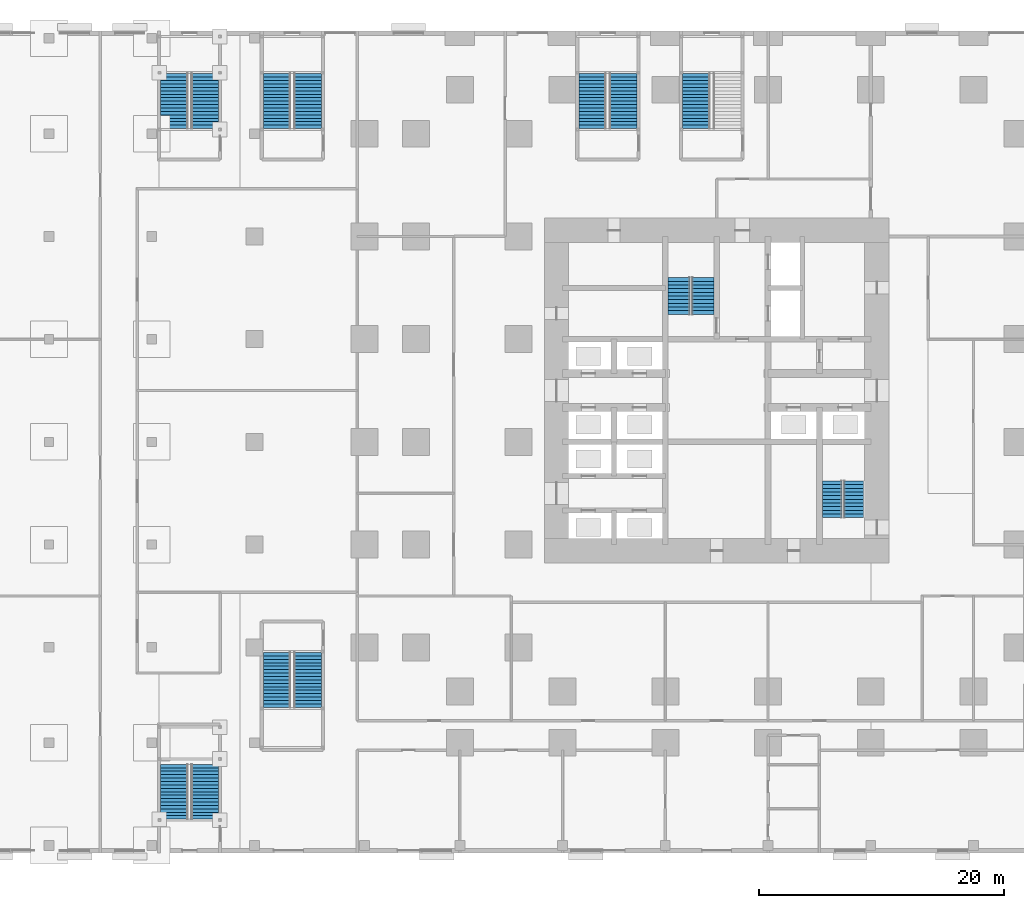
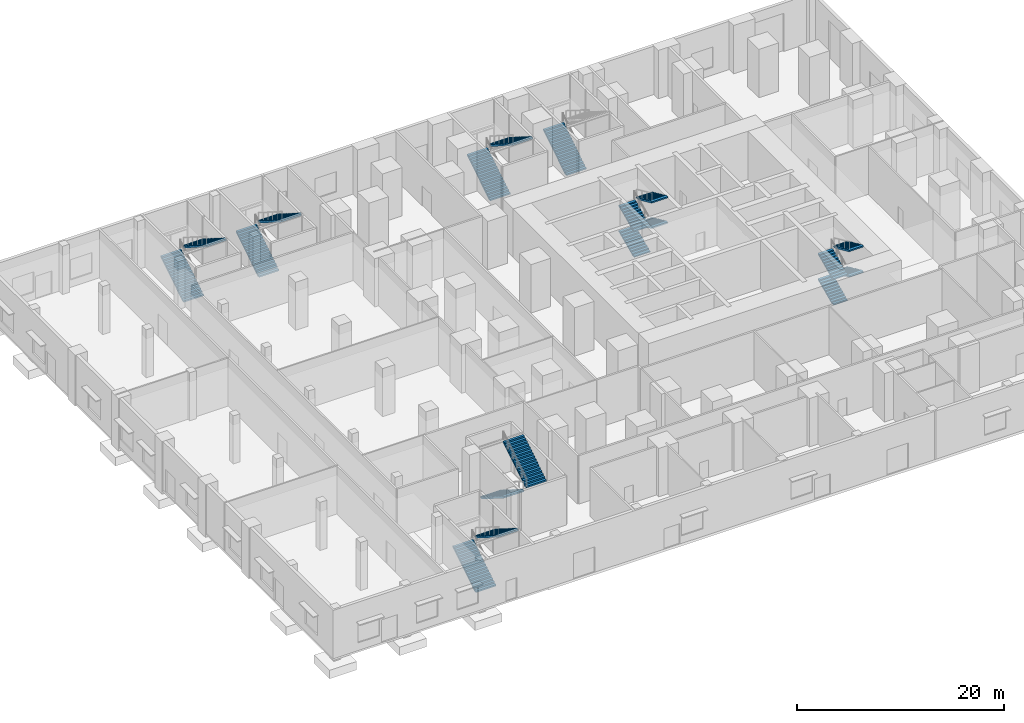
# One storey, part 22 of 26: 19 stair flights, 8 elements without a shape of their own.
"""IFC4 building model written with IfcOpenShell, lengths in metres."""

from ifc_helpers import new_model, si_unit, direction, frame, origin, place, context, subcontext, project, spatial, polyline, outline, extrude, material, type_object, element, aggregate, save


model = new_model("IFC4")

# Units and contexts
model_context = context("Model", 3, precision=1e-05, world=origin(), true_north=direction((0.0, 1.0)))
body_context = subcontext(model_context, "Body", "Model", "MODEL_VIEW")
ifc_project = project(units=[si_unit("LENGTHUNIT", "METRE"), si_unit("AREAUNIT", "SQUARE_METRE"), si_unit("VOLUMEUNIT", "CUBIC_METRE"), si_unit("PLANEANGLEUNIT", "RADIAN"), si_unit("MASSUNIT", "GRAM", prefix="KILO")], contexts=[model_context])

# Site, building, storey
site_placement = place(None, origin())
site = spatial("IfcSite", under=ifc_project, at=site_placement, CompositionType="ELEMENT")
building_placement = place(site_placement, origin())
building = spatial("IfcBuilding", under=site, at=building_placement, Name="Dunama Terrace Hotel", CompositionType="ELEMENT")
storey_placement = place(building_placement, origin())
storey = spatial("IfcBuildingStorey", under=building, at=storey_placement, Name="L00", CompositionType="ELEMENT", Elevation=0.0)

# Stair, stair flights
ifc_material_1 = material(Name="Concrete C40/50", Category="concrete")
stair_type_1 = type_object("IfcStairType", Name="Stair P1-6000-2250", PredefinedType="HALF_TURN_STAIR", material=ifc_material_1)
stair_1_placement = place(storey_placement, origin())
stair_1 = element("IfcStair", 1, at=stair_1_placement, inside=storey, type_object=stair_type_1, Name="Stair P1 L00", PredefinedType="HALF_TURN_STAIR")
ifc_material_2 = material(Name="Concrete C40/50", Category="concrete")
stair_flight_type_1 = type_object("IfcStairFlightType", Name="Stair flight P1-6000-2250", PredefinedType="STRAIGHT", material=ifc_material_2)
stair_flight_1_placement = place(storey_placement, frame((-14.949951171875, 50.824951171875, 0.0), z_axis=(0.0, 0.0, 1.0), x_axis=(0.0, 1.0, 0.0)))
stair_flight_1 = element("IfcStairFlight", 2, at=stair_flight_1_placement, type_object=stair_flight_type_1, Name="P1 flight 1", NumberOfRisers=17, NumberOfTreads=16, PredefinedType="STRAIGHT", RiserHeight=0.176470588, TreadLength=0.28, context=body_context, shape_type="SweptSolid", body=[
    extrude(outline(polyline([(0.0, 0.0), (0.0, 0.176513671875), (0.280029296875, 0.176513671875), (0.280029296875, 0.35302734375), (0.56005859375, 0.35302734375), (0.56005859375, 0.529296875), (0.840087890625, 0.529296875), (0.840087890625, 0.705810546875), (1.1201171875, 0.705810546875), (1.1201171875, 0.88232421875), (1.39990234375, 0.88232421875), (1.39990234375, 1.058837890625), (1.679931640625, 1.058837890625), (1.679931640625, 1.2353515625), (1.9599609375, 1.2353515625), (1.9599609375, 1.411865234375), (2.239990234375, 1.411865234375), (2.239990234375, 1.588134765625), (2.52001953125, 1.588134765625), (2.52001953125, 1.7646484375), (2.800048828125, 1.7646484375), (2.800048828125, 1.941162109375), (3.080078125, 1.941162109375), (3.080078125, 2.11767578125), (3.360107421875, 2.11767578125), (3.360107421875, 2.294189453125), (3.639892578125, 2.294189453125), (3.639892578125, 2.470703125), (3.919921875, 2.470703125), (3.919921875, 2.64697265625), (4.199951171875, 2.64697265625), (4.199951171875, 2.823486328125), (4.47998046875, 2.823486328125), (4.47998046875, 3.0), (4.47998046875, 2.646240234375), (0.28125, 0.0), (0.0, 0.0)])), frame((0.0, 1.125, 0.0), z_axis=(0.0, -1.0, 0.0), x_axis=(1.0, 0.0, 0.0)), (0.0, 0.0, 1.0), 2.25),
])
stair_flight_2_placement = place(storey_placement, frame((-12.449951171875, 55.304931640625, 3.0), z_axis=(0.0, 0.0, 1.0), x_axis=(0.0, -1.0, 0.0)))
stair_flight_2 = element("IfcStairFlight", 3, at=stair_flight_2_placement, type_object=stair_flight_type_1, Name="P1 flight 2", NumberOfRisers=17, NumberOfTreads=16, PredefinedType="STRAIGHT", RiserHeight=0.176470588, TreadLength=0.28, context=body_context, shape_type="SweptSolid", body=[
    extrude(outline(polyline([(0.0, 0.0), (0.0, 0.176513671875), (0.280029296875, 0.176513671875), (0.280029296875, 0.35302734375), (0.56005859375, 0.35302734375), (0.56005859375, 0.529296875), (0.840087890625, 0.529296875), (0.840087890625, 0.705810546875), (1.1201171875, 0.705810546875), (1.1201171875, 0.88232421875), (1.39990234375, 0.88232421875), (1.39990234375, 1.058837890625), (1.679931640625, 1.058837890625), (1.679931640625, 1.2353515625), (1.9599609375, 1.2353515625), (1.9599609375, 1.411865234375), (2.239990234375, 1.411865234375), (2.239990234375, 1.588134765625), (2.52001953125, 1.588134765625), (2.52001953125, 1.7646484375), (2.800048828125, 1.7646484375), (2.800048828125, 1.941162109375), (3.080078125, 1.941162109375), (3.080078125, 2.11767578125), (3.360107421875, 2.11767578125), (3.360107421875, 2.294189453125), (3.639892578125, 2.294189453125), (3.639892578125, 2.470703125), (3.919921875, 2.470703125), (3.919921875, 2.64697265625), (4.199951171875, 2.64697265625), (4.199951171875, 2.823486328125), (4.47998046875, 2.823486328125), (4.47998046875, 3.0), (4.47998046875, 2.646240234375), (0.28125, 0.0), (0.0, 0.0)])), frame((0.0, 1.125, 0.0), z_axis=(0.0, -1.0, 0.0), x_axis=(1.0, 0.0, 0.0)), (0.0, 0.0, 1.0), 2.25),
])
aggregate(stair_1, [stair_flight_1, stair_flight_2])

ifc_material_3 = material(Name="Concrete C40/50", Category="concrete")
stair_type_2 = type_object("IfcStairType", Name="Stair P2-6000-2250", PredefinedType="HALF_TURN_STAIR", material=ifc_material_3)
stair_2_placement = place(storey_placement, origin())
stair_2 = element("IfcStair", 4, at=stair_2_placement, inside=storey, type_object=stair_type_2, Name="Stair P2 L00", PredefinedType="HALF_TURN_STAIR")
ifc_material_4 = material(Name="Concrete C40/50", Category="concrete")
stair_flight_type_2 = type_object("IfcStairFlightType", Name="Stair flight P2-6000-2250", PredefinedType="STRAIGHT", material=ifc_material_4)
stair_flight_3_placement = place(storey_placement, frame((-14.949951171875, -5.64990234375, 0.0), z_axis=(0.0, 0.0, 1.0), x_axis=(0.0, 1.0, 0.0)))
stair_flight_3 = element("IfcStairFlight", 5, at=stair_flight_3_placement, type_object=stair_flight_type_2, Name="P2 flight 1", NumberOfRisers=17, NumberOfTreads=16, PredefinedType="STRAIGHT", RiserHeight=0.176470588, TreadLength=0.28, context=body_context, shape_type="SweptSolid", body=[
    extrude(outline(polyline([(0.0, 0.0), (0.0, 0.176513671875), (0.280029296875, 0.176513671875), (0.280029296875, 0.35302734375), (0.56005859375, 0.35302734375), (0.56005859375, 0.529296875), (0.840087890625, 0.529296875), (0.840087890625, 0.705810546875), (1.1201171875, 0.705810546875), (1.1201171875, 0.88232421875), (1.39990234375, 0.88232421875), (1.39990234375, 1.058837890625), (1.679931640625, 1.058837890625), (1.679931640625, 1.2353515625), (1.9599609375, 1.2353515625), (1.9599609375, 1.411865234375), (2.239990234375, 1.411865234375), (2.239990234375, 1.588134765625), (2.52001953125, 1.588134765625), (2.52001953125, 1.7646484375), (2.800048828125, 1.7646484375), (2.800048828125, 1.941162109375), (3.080078125, 1.941162109375), (3.080078125, 2.11767578125), (3.360107421875, 2.11767578125), (3.360107421875, 2.294189453125), (3.639892578125, 2.294189453125), (3.639892578125, 2.470703125), (3.919921875, 2.470703125), (3.919921875, 2.64697265625), (4.199951171875, 2.64697265625), (4.199951171875, 2.823486328125), (4.47998046875, 2.823486328125), (4.47998046875, 3.0), (4.47998046875, 2.646240234375), (0.28125, 0.0), (0.0, 0.0)])), frame((0.0, 1.125, 0.0), z_axis=(0.0, -1.0, 0.0), x_axis=(1.0, 0.0, 0.0)), (0.0, 0.0, 1.0), 2.25),
])
stair_flight_4_placement = place(storey_placement, frame((-12.449951171875, -1.169921875, 3.0), z_axis=(0.0, 0.0, 1.0), x_axis=(0.0, -1.0, 0.0)))
stair_flight_4 = element("IfcStairFlight", 6, at=stair_flight_4_placement, type_object=stair_flight_type_2, Name="P2 flight 2", NumberOfRisers=17, NumberOfTreads=16, PredefinedType="STRAIGHT", RiserHeight=0.176470588, TreadLength=0.28, context=body_context, shape_type="SweptSolid", body=[
    extrude(outline(polyline([(0.0, 0.0), (0.0, 0.176513671875), (0.280029296875, 0.176513671875), (0.280029296875, 0.35302734375), (0.56005859375, 0.35302734375), (0.56005859375, 0.529296875), (0.840087890625, 0.529296875), (0.840087890625, 0.705810546875), (1.1201171875, 0.705810546875), (1.1201171875, 0.88232421875), (1.39990234375, 0.88232421875), (1.39990234375, 1.058837890625), (1.679931640625, 1.058837890625), (1.679931640625, 1.2353515625), (1.9599609375, 1.2353515625), (1.9599609375, 1.411865234375), (2.239990234375, 1.411865234375), (2.239990234375, 1.588134765625), (2.52001953125, 1.588134765625), (2.52001953125, 1.7646484375), (2.800048828125, 1.7646484375), (2.800048828125, 1.941162109375), (3.080078125, 1.941162109375), (3.080078125, 2.11767578125), (3.360107421875, 2.11767578125), (3.360107421875, 2.294189453125), (3.639892578125, 2.294189453125), (3.639892578125, 2.470703125), (3.919921875, 2.470703125), (3.919921875, 2.64697265625), (4.199951171875, 2.64697265625), (4.199951171875, 2.823486328125), (4.47998046875, 2.823486328125), (4.47998046875, 3.0), (4.47998046875, 2.646240234375), (0.28125, 0.0), (0.0, 0.0)])), frame((0.0, 1.125, 0.0), z_axis=(0.0, -1.0, 0.0), x_axis=(1.0, 0.0, 0.0)), (0.0, 0.0, 1.0), 2.25),
])
aggregate(stair_2, [stair_flight_3, stair_flight_4])

ifc_material_5 = material(Name="Concrete C40/50", Category="concrete")
stair_type_3 = type_object("IfcStairType", Name="Stair P3-6000-2250", PredefinedType="HALF_TURN_STAIR", material=ifc_material_5)
stair_3_placement = place(storey_placement, origin())
stair_3 = element("IfcStair", 7, at=stair_3_placement, inside=storey, type_object=stair_type_3, Name="Stair P3 L00", PredefinedType="HALF_TURN_STAIR")
ifc_material_6 = material(Name="Concrete C40/50", Category="concrete")
stair_flight_type_3 = type_object("IfcStairFlightType", Name="Stair flight P3-6000-2250", PredefinedType="STRAIGHT", material=ifc_material_6)
stair_flight_5_placement = place(storey_placement, frame((-6.550048828125, 50.824951171875, 0.0), z_axis=(0.0, 0.0, 1.0), x_axis=(0.0, 1.0, 0.0)))
stair_flight_5 = element("IfcStairFlight", 8, at=stair_flight_5_placement, type_object=stair_flight_type_3, Name="P3 flight 1", NumberOfRisers=17, NumberOfTreads=16, PredefinedType="STRAIGHT", RiserHeight=0.176470588, TreadLength=0.28, context=body_context, shape_type="SweptSolid", body=[
    extrude(outline(polyline([(0.0, 0.0), (0.0, 0.176513671875), (0.280029296875, 0.176513671875), (0.280029296875, 0.35302734375), (0.56005859375, 0.35302734375), (0.56005859375, 0.529296875), (0.840087890625, 0.529296875), (0.840087890625, 0.705810546875), (1.1201171875, 0.705810546875), (1.1201171875, 0.88232421875), (1.39990234375, 0.88232421875), (1.39990234375, 1.058837890625), (1.679931640625, 1.058837890625), (1.679931640625, 1.2353515625), (1.9599609375, 1.2353515625), (1.9599609375, 1.411865234375), (2.239990234375, 1.411865234375), (2.239990234375, 1.588134765625), (2.52001953125, 1.588134765625), (2.52001953125, 1.7646484375), (2.800048828125, 1.7646484375), (2.800048828125, 1.941162109375), (3.080078125, 1.941162109375), (3.080078125, 2.11767578125), (3.360107421875, 2.11767578125), (3.360107421875, 2.294189453125), (3.639892578125, 2.294189453125), (3.639892578125, 2.470703125), (3.919921875, 2.470703125), (3.919921875, 2.64697265625), (4.199951171875, 2.64697265625), (4.199951171875, 2.823486328125), (4.47998046875, 2.823486328125), (4.47998046875, 3.0), (4.47998046875, 2.646240234375), (0.28125, 0.0), (0.0, 0.0)])), frame((0.0, 1.125, 0.0), z_axis=(0.0, -1.0, 0.0), x_axis=(1.0, 0.0, 0.0)), (0.0, 0.0, 1.0), 2.25),
])
stair_flight_6_placement = place(storey_placement, frame((-4.050048828125, 55.304931640625, 3.0), z_axis=(0.0, 0.0, 1.0), x_axis=(0.0, -1.0, 0.0)))
stair_flight_6 = element("IfcStairFlight", 9, at=stair_flight_6_placement, type_object=stair_flight_type_3, Name="P3 flight 2", NumberOfRisers=17, NumberOfTreads=16, PredefinedType="STRAIGHT", RiserHeight=0.176470588, TreadLength=0.28, context=body_context, shape_type="SweptSolid", body=[
    extrude(outline(polyline([(0.0, 0.0), (0.0, 0.176513671875), (0.280029296875, 0.176513671875), (0.280029296875, 0.35302734375), (0.56005859375, 0.35302734375), (0.56005859375, 0.529296875), (0.840087890625, 0.529296875), (0.840087890625, 0.705810546875), (1.1201171875, 0.705810546875), (1.1201171875, 0.88232421875), (1.39990234375, 0.88232421875), (1.39990234375, 1.058837890625), (1.679931640625, 1.058837890625), (1.679931640625, 1.2353515625), (1.9599609375, 1.2353515625), (1.9599609375, 1.411865234375), (2.239990234375, 1.411865234375), (2.239990234375, 1.588134765625), (2.52001953125, 1.588134765625), (2.52001953125, 1.7646484375), (2.800048828125, 1.7646484375), (2.800048828125, 1.941162109375), (3.080078125, 1.941162109375), (3.080078125, 2.11767578125), (3.360107421875, 2.11767578125), (3.360107421875, 2.294189453125), (3.639892578125, 2.294189453125), (3.639892578125, 2.470703125), (3.919921875, 2.470703125), (3.919921875, 2.64697265625), (4.199951171875, 2.64697265625), (4.199951171875, 2.823486328125), (4.47998046875, 2.823486328125), (4.47998046875, 3.0), (4.47998046875, 2.646240234375), (0.28125, 0.0), (0.0, 0.0)])), frame((0.0, 1.125, 0.0), z_axis=(0.0, -1.0, 0.0), x_axis=(1.0, 0.0, 0.0)), (0.0, 0.0, 1.0), 2.25),
])
aggregate(stair_3, [stair_flight_5, stair_flight_6])

ifc_material_7 = material(Name="Concrete C40/50", Category="concrete")
stair_type_4 = type_object("IfcStairType", Name="Stair P4-6000-2250", PredefinedType="HALF_TURN_STAIR", material=ifc_material_7)
stair_4_placement = place(storey_placement, origin())
stair_4 = element("IfcStair", 10, at=stair_4_placement, inside=storey, type_object=stair_type_4, Name="Stair P4 L00", PredefinedType="HALF_TURN_STAIR")
ifc_material_8 = material(Name="Concrete C40/50", Category="concrete")
stair_flight_type_4 = type_object("IfcStairFlightType", Name="Stair flight P4-6000-2250", PredefinedType="STRAIGHT", material=ifc_material_8)
stair_flight_7_placement = place(storey_placement, frame((-6.550048828125, 7.97509765625, 0.0), z_axis=(0.0, 0.0, 1.0), x_axis=(0.0, -1.0, 0.0)))
stair_flight_7 = element("IfcStairFlight", 11, at=stair_flight_7_placement, type_object=stair_flight_type_4, Name="P4 flight 1", NumberOfRisers=17, NumberOfTreads=16, PredefinedType="STRAIGHT", RiserHeight=0.176470588, TreadLength=0.28, context=body_context, shape_type="SweptSolid", body=[
    extrude(outline(polyline([(0.0, 0.0), (0.0, 0.176513671875), (0.280029296875, 0.176513671875), (0.280029296875, 0.35302734375), (0.56005859375, 0.35302734375), (0.56005859375, 0.529296875), (0.840087890625, 0.529296875), (0.840087890625, 0.705810546875), (1.1201171875, 0.705810546875), (1.1201171875, 0.88232421875), (1.39990234375, 0.88232421875), (1.39990234375, 1.058837890625), (1.679931640625, 1.058837890625), (1.679931640625, 1.2353515625), (1.9599609375, 1.2353515625), (1.9599609375, 1.411865234375), (2.239990234375, 1.411865234375), (2.239990234375, 1.588134765625), (2.52001953125, 1.588134765625), (2.52001953125, 1.7646484375), (2.800048828125, 1.7646484375), (2.800048828125, 1.941162109375), (3.080078125, 1.941162109375), (3.080078125, 2.11767578125), (3.360107421875, 2.11767578125), (3.360107421875, 2.294189453125), (3.639892578125, 2.294189453125), (3.639892578125, 2.470703125), (3.919921875, 2.470703125), (3.919921875, 2.64697265625), (4.199951171875, 2.64697265625), (4.199951171875, 2.823486328125), (4.47998046875, 2.823486328125), (4.47998046875, 3.0), (4.47998046875, 2.646240234375), (0.28125, 0.0), (0.0, 0.0)])), frame((0.0, 1.125, 0.0), z_axis=(0.0, -1.0, 0.0), x_axis=(1.0, 0.0, 0.0)), (0.0, 0.0, 1.0), 2.25),
])
stair_flight_8_placement = place(storey_placement, frame((-4.050048828125, 3.4951171875, 3.0), z_axis=(0.0, 0.0, 1.0), x_axis=(0.0, 1.0, 0.0)))
stair_flight_8 = element("IfcStairFlight", 12, at=stair_flight_8_placement, type_object=stair_flight_type_4, Name="P4 flight 2", NumberOfRisers=17, NumberOfTreads=16, PredefinedType="STRAIGHT", RiserHeight=0.176470588, TreadLength=0.28, context=body_context, shape_type="SweptSolid", body=[
    extrude(outline(polyline([(0.0, 0.0), (0.0, 0.176513671875), (0.280029296875, 0.176513671875), (0.280029296875, 0.35302734375), (0.56005859375, 0.35302734375), (0.56005859375, 0.529296875), (0.840087890625, 0.529296875), (0.840087890625, 0.705810546875), (1.1201171875, 0.705810546875), (1.1201171875, 0.88232421875), (1.39990234375, 0.88232421875), (1.39990234375, 1.058837890625), (1.679931640625, 1.058837890625), (1.679931640625, 1.2353515625), (1.9599609375, 1.2353515625), (1.9599609375, 1.411865234375), (2.239990234375, 1.411865234375), (2.239990234375, 1.588134765625), (2.52001953125, 1.588134765625), (2.52001953125, 1.7646484375), (2.800048828125, 1.7646484375), (2.800048828125, 1.941162109375), (3.080078125, 1.941162109375), (3.080078125, 2.11767578125), (3.360107421875, 2.11767578125), (3.360107421875, 2.294189453125), (3.639892578125, 2.294189453125), (3.639892578125, 2.470703125), (3.919921875, 2.470703125), (3.919921875, 2.64697265625), (4.199951171875, 2.64697265625), (4.199951171875, 2.823486328125), (4.47998046875, 2.823486328125), (4.47998046875, 3.0), (4.47998046875, 2.646240234375), (0.28125, 0.0), (0.0, 0.0)])), frame((0.0, 1.125, 0.0), z_axis=(0.0, -1.0, 0.0), x_axis=(1.0, 0.0, 0.0)), (0.0, 0.0, 1.0), 2.25),
])
aggregate(stair_4, [stair_flight_7, stair_flight_8])

ifc_material_9 = material(Name="Concrete C40/50", Category="concrete")
stair_type_5 = type_object("IfcStairType", Name="Stair P5-6000-2250", PredefinedType="HALF_TURN_STAIR", material=ifc_material_9)
stair_5_placement = place(storey_placement, origin())
stair_5 = element("IfcStair", 13, at=stair_5_placement, inside=storey, type_object=stair_type_5, Name="Stair P5 L00", PredefinedType="HALF_TURN_STAIR")
ifc_material_10 = material(Name="Concrete C40/50", Category="concrete")
stair_flight_type_5 = type_object("IfcStairFlightType", Name="Stair flight P5-6000-2250", PredefinedType="STRAIGHT", material=ifc_material_10)
stair_flight_9_placement = place(storey_placement, frame((19.25, 50.824951171875, 0.0), z_axis=(0.0, 0.0, 1.0), x_axis=(0.0, 1.0, 0.0)))
stair_flight_9 = element("IfcStairFlight", 14, at=stair_flight_9_placement, type_object=stair_flight_type_5, Name="P5 flight 1", NumberOfRisers=17, NumberOfTreads=16, PredefinedType="STRAIGHT", RiserHeight=0.176470588, TreadLength=0.28, context=body_context, shape_type="SweptSolid", body=[
    extrude(outline(polyline([(0.0, 0.0), (0.0, 0.176513671875), (0.280029296875, 0.176513671875), (0.280029296875, 0.35302734375), (0.56005859375, 0.35302734375), (0.56005859375, 0.529296875), (0.840087890625, 0.529296875), (0.840087890625, 0.705810546875), (1.1201171875, 0.705810546875), (1.1201171875, 0.88232421875), (1.39990234375, 0.88232421875), (1.39990234375, 1.058837890625), (1.679931640625, 1.058837890625), (1.679931640625, 1.2353515625), (1.9599609375, 1.2353515625), (1.9599609375, 1.411865234375), (2.239990234375, 1.411865234375), (2.239990234375, 1.588134765625), (2.52001953125, 1.588134765625), (2.52001953125, 1.7646484375), (2.800048828125, 1.7646484375), (2.800048828125, 1.941162109375), (3.080078125, 1.941162109375), (3.080078125, 2.11767578125), (3.360107421875, 2.11767578125), (3.360107421875, 2.294189453125), (3.639892578125, 2.294189453125), (3.639892578125, 2.470703125), (3.919921875, 2.470703125), (3.919921875, 2.64697265625), (4.199951171875, 2.64697265625), (4.199951171875, 2.823486328125), (4.47998046875, 2.823486328125), (4.47998046875, 3.0), (4.47998046875, 2.646240234375), (0.28125, 0.0), (0.0, 0.0)])), frame((0.0, 1.125, 0.0), z_axis=(0.0, -1.0, 0.0), x_axis=(1.0, 0.0, 0.0)), (0.0, 0.0, 1.0), 2.25),
])
stair_flight_10_placement = place(storey_placement, frame((21.75, 55.304931640625, 3.0), z_axis=(0.0, 0.0, 1.0), x_axis=(0.0, -1.0, 0.0)))
stair_flight_10 = element("IfcStairFlight", 15, at=stair_flight_10_placement, type_object=stair_flight_type_5, Name="P5 flight 2", NumberOfRisers=17, NumberOfTreads=16, PredefinedType="STRAIGHT", RiserHeight=0.176470588, TreadLength=0.28, context=body_context, shape_type="SweptSolid", body=[
    extrude(outline(polyline([(0.0, 0.0), (0.0, 0.176513671875), (0.280029296875, 0.176513671875), (0.280029296875, 0.35302734375), (0.56005859375, 0.35302734375), (0.56005859375, 0.529296875), (0.840087890625, 0.529296875), (0.840087890625, 0.705810546875), (1.1201171875, 0.705810546875), (1.1201171875, 0.88232421875), (1.39990234375, 0.88232421875), (1.39990234375, 1.058837890625), (1.679931640625, 1.058837890625), (1.679931640625, 1.2353515625), (1.9599609375, 1.2353515625), (1.9599609375, 1.411865234375), (2.239990234375, 1.411865234375), (2.239990234375, 1.588134765625), (2.52001953125, 1.588134765625), (2.52001953125, 1.7646484375), (2.800048828125, 1.7646484375), (2.800048828125, 1.941162109375), (3.080078125, 1.941162109375), (3.080078125, 2.11767578125), (3.360107421875, 2.11767578125), (3.360107421875, 2.294189453125), (3.639892578125, 2.294189453125), (3.639892578125, 2.470703125), (3.919921875, 2.470703125), (3.919921875, 2.64697265625), (4.199951171875, 2.64697265625), (4.199951171875, 2.823486328125), (4.47998046875, 2.823486328125), (4.47998046875, 3.0), (4.47998046875, 2.646240234375), (0.28125, 0.0), (0.0, 0.0)])), frame((0.0, 1.125, 0.0), z_axis=(0.0, -1.0, 0.0), x_axis=(1.0, 0.0, 0.0)), (0.0, 0.0, 1.0), 2.25),
])
aggregate(stair_5, [stair_flight_9, stair_flight_10])

# Stair, stair flight
ifc_material_11 = material(Name="Concrete C40/50", Category="concrete")
stair_type_6 = type_object("IfcStairType", Name="Stair P6-6000-2250", PredefinedType="HALF_TURN_STAIR", material=ifc_material_11)
stair_6_placement = place(storey_placement, origin())
stair_6 = element("IfcStair", 16, at=stair_6_placement, inside=storey, type_object=stair_type_6, Name="Stair P6 L00", PredefinedType="HALF_TURN_STAIR")
ifc_material_12 = material(Name="Concrete C40/50", Category="concrete")
stair_flight_type_6 = type_object("IfcStairFlightType", Name="Stair flight P6-6000-2250", PredefinedType="STRAIGHT", material=ifc_material_12)
stair_flight_11_placement = place(storey_placement, frame((27.75, 50.824951171875, 0.0), z_axis=(0.0, 0.0, 1.0), x_axis=(0.0, 1.0, 0.0)))
stair_flight_11 = element("IfcStairFlight", 17, at=stair_flight_11_placement, type_object=stair_flight_type_6, Name="P6 flight 1", NumberOfRisers=17, NumberOfTreads=16, PredefinedType="STRAIGHT", RiserHeight=0.176470588, TreadLength=0.28, context=body_context, shape_type="SweptSolid", body=[
    extrude(outline(polyline([(0.0, 0.0), (0.0, 0.176513671875), (0.280029296875, 0.176513671875), (0.280029296875, 0.35302734375), (0.56005859375, 0.35302734375), (0.56005859375, 0.529296875), (0.840087890625, 0.529296875), (0.840087890625, 0.705810546875), (1.1201171875, 0.705810546875), (1.1201171875, 0.88232421875), (1.39990234375, 0.88232421875), (1.39990234375, 1.058837890625), (1.679931640625, 1.058837890625), (1.679931640625, 1.2353515625), (1.9599609375, 1.2353515625), (1.9599609375, 1.411865234375), (2.239990234375, 1.411865234375), (2.239990234375, 1.588134765625), (2.52001953125, 1.588134765625), (2.52001953125, 1.7646484375), (2.800048828125, 1.7646484375), (2.800048828125, 1.941162109375), (3.080078125, 1.941162109375), (3.080078125, 2.11767578125), (3.360107421875, 2.11767578125), (3.360107421875, 2.294189453125), (3.639892578125, 2.294189453125), (3.639892578125, 2.470703125), (3.919921875, 2.470703125), (3.919921875, 2.64697265625), (4.199951171875, 2.64697265625), (4.199951171875, 2.823486328125), (4.47998046875, 2.823486328125), (4.47998046875, 3.0), (4.47998046875, 2.646240234375), (0.28125, 0.0), (0.0, 0.0)])), frame((0.0, 1.125, 0.0), z_axis=(0.0, -1.0, 0.0), x_axis=(1.0, 0.0, 0.0)), (0.0, 0.0, 1.0), 2.25),
])
aggregate(stair_6, [stair_flight_11])

# Stair, stair flights
ifc_material_13 = material(Name="Concrete C40/50", Category="concrete")
stair_type_7 = type_object("IfcStairType", Name="Stair ST1-6000-1800", PredefinedType="HALF_TURN_STAIR", material=ifc_material_13)
stair_7_placement = place(storey_placement, origin())
stair_7 = element("IfcStair", 18, at=stair_7_placement, inside=storey, type_object=stair_type_7, Name="Stair ST1 L00", PredefinedType="HALF_TURN_STAIR")
ifc_material_14 = material(Name="Concrete C40/50", Category="concrete")
stair_flight_type_7 = type_object("IfcStairFlightType", Name="Stair flight ST1-6000-1800", PredefinedType="STRAIGHT", material=ifc_material_14)
stair_flight_12_placement = place(storey_placement, frame((26.324951171875, 35.625, 0.0), z_axis=(0.0, 0.0, 1.0), x_axis=(0.0, 1.0, 0.0)))
stair_flight_12 = element("IfcStairFlight", 19, at=stair_flight_12_placement, type_object=stair_flight_type_7, Name="ST1 flight 1", NumberOfRisers=11, NumberOfTreads=10, PredefinedType="STRAIGHT", RiserHeight=0.136363636, TreadLength=0.3, context=body_context, shape_type="SweptSolid", body=[
    extrude(outline(polyline([(0.0, 0.0), (0.0, 0.136474609375), (0.300048828125, 0.136474609375), (0.300048828125, 0.272705078125), (0.60009765625, 0.272705078125), (0.60009765625, 0.4091796875), (0.89990234375, 0.4091796875), (0.89990234375, 0.54541015625), (1.199951171875, 0.54541015625), (1.199951171875, 0.681884765625), (1.5, 0.681884765625), (1.5, 0.818115234375), (1.800048828125, 0.818115234375), (1.800048828125, 0.95458984375), (2.10009765625, 0.95458984375), (2.10009765625, 1.0908203125), (2.39990234375, 1.0908203125), (2.39990234375, 1.227294921875), (2.699951171875, 1.227294921875), (2.699951171875, 1.363525390625), (3.0, 1.363525390625), (3.0, 1.5), (3.0, 1.198974609375), (0.3623046875, 0.0), (0.0, 0.0)])), frame((0.0, 0.89990234375, 0.0), z_axis=(0.0, -1.0, 0.0), x_axis=(1.0, 0.0, 0.0)), (0.0, 0.0, 1.0), 1.800048828125),
])
stair_flight_13_placement = place(storey_placement, frame((28.27490234375, 38.625, 1.5), z_axis=(0.0, 0.0, 1.0), x_axis=(0.0, -1.0, 0.0)))
stair_flight_13 = element("IfcStairFlight", 20, at=stair_flight_13_placement, type_object=stair_flight_type_7, Name="ST1 flight 2", NumberOfRisers=11, NumberOfTreads=10, PredefinedType="STRAIGHT", RiserHeight=0.136363636, TreadLength=0.3, context=body_context, shape_type="SweptSolid", body=[
    extrude(outline(polyline([(0.0, 0.0), (0.0, 0.136474609375), (0.300048828125, 0.136474609375), (0.300048828125, 0.272705078125), (0.60009765625, 0.272705078125), (0.60009765625, 0.4091796875), (0.89990234375, 0.4091796875), (0.89990234375, 0.54541015625), (1.199951171875, 0.54541015625), (1.199951171875, 0.681884765625), (1.5, 0.681884765625), (1.5, 0.818115234375), (1.800048828125, 0.818115234375), (1.800048828125, 0.95458984375), (2.10009765625, 0.95458984375), (2.10009765625, 1.0908203125), (2.39990234375, 1.0908203125), (2.39990234375, 1.227294921875), (2.699951171875, 1.227294921875), (2.699951171875, 1.363525390625), (3.0, 1.363525390625), (3.0, 1.5), (3.0, 1.198974609375), (0.3623046875, 0.0), (0.0, 0.0)])), frame((0.0, 0.89990234375, 0.0), z_axis=(0.0, -1.0, 0.0), x_axis=(1.0, 0.0, 0.0)), (0.0, 0.0, 1.0), 1.800048828125),
])
stair_flight_14_placement = place(storey_placement, frame((26.324951171875, 35.625, 3.0), z_axis=(0.0, 0.0, 1.0), x_axis=(0.0, 1.0, 0.0)))
stair_flight_14 = element("IfcStairFlight", 21, at=stair_flight_14_placement, type_object=stair_flight_type_7, Name="ST1 flight 3", NumberOfRisers=11, NumberOfTreads=10, PredefinedType="STRAIGHT", RiserHeight=0.136363636, TreadLength=0.3, context=body_context, shape_type="SweptSolid", body=[
    extrude(outline(polyline([(0.0, 0.0), (0.0, 0.136474609375), (0.300048828125, 0.136474609375), (0.300048828125, 0.272705078125), (0.60009765625, 0.272705078125), (0.60009765625, 0.4091796875), (0.89990234375, 0.4091796875), (0.89990234375, 0.54541015625), (1.199951171875, 0.54541015625), (1.199951171875, 0.681884765625), (1.5, 0.681884765625), (1.5, 0.818115234375), (1.800048828125, 0.818115234375), (1.800048828125, 0.95458984375), (2.10009765625, 0.95458984375), (2.10009765625, 1.0908203125), (2.39990234375, 1.0908203125), (2.39990234375, 1.227294921875), (2.699951171875, 1.227294921875), (2.699951171875, 1.363525390625), (3.0, 1.363525390625), (3.0, 1.5), (3.0, 1.198974609375), (0.3623046875, 0.0), (0.0, 0.0)])), frame((0.0, 0.89990234375, 0.0), z_axis=(0.0, -1.0, 0.0), x_axis=(1.0, 0.0, 0.0)), (0.0, 0.0, 1.0), 1.800048828125),
])
stair_flight_15_placement = place(storey_placement, frame((28.27490234375, 38.625, 4.5), z_axis=(0.0, 0.0, 1.0), x_axis=(0.0, -1.0, 0.0)))
stair_flight_15 = element("IfcStairFlight", 22, at=stair_flight_15_placement, type_object=stair_flight_type_7, Name="ST1 flight 4", NumberOfRisers=11, NumberOfTreads=10, PredefinedType="STRAIGHT", RiserHeight=0.136363636, TreadLength=0.3, context=body_context, shape_type="SweptSolid", body=[
    extrude(outline(polyline([(0.0, 0.0), (0.0, 0.136474609375), (0.300048828125, 0.136474609375), (0.300048828125, 0.272705078125), (0.60009765625, 0.272705078125), (0.60009765625, 0.4091796875), (0.89990234375, 0.4091796875), (0.89990234375, 0.54541015625), (1.199951171875, 0.54541015625), (1.199951171875, 0.681884765625), (1.5, 0.681884765625), (1.5, 0.818115234375), (1.800048828125, 0.818115234375), (1.800048828125, 0.95458984375), (2.10009765625, 0.95458984375), (2.10009765625, 1.0908203125), (2.39990234375, 1.0908203125), (2.39990234375, 1.227294921875), (2.699951171875, 1.227294921875), (2.699951171875, 1.363525390625), (3.0, 1.363525390625), (3.0, 1.5), (3.0, 1.198974609375), (0.3623046875, 0.0), (0.0, 0.0)])), frame((0.0, 0.89990234375, 0.0), z_axis=(0.0, -1.0, 0.0), x_axis=(1.0, 0.0, 0.0)), (0.0, 0.0, 1.0), 1.800048828125),
])
aggregate(stair_7, [stair_flight_12, stair_flight_13, stair_flight_14, stair_flight_15])

ifc_material_15 = material(Name="Concrete C40/50", Category="concrete")
stair_type_8 = type_object("IfcStairType", Name="Stair ST2-6000-1600", PredefinedType="HALF_TURN_STAIR", material=ifc_material_15)
stair_8_placement = place(storey_placement, origin())
stair_8 = element("IfcStair", 23, at=stair_8_placement, inside=storey, type_object=stair_type_8, Name="Stair ST2 L00", PredefinedType="HALF_TURN_STAIR")
ifc_material_16 = material(Name="Concrete C40/50", Category="concrete")
stair_flight_type_8 = type_object("IfcStairFlightType", Name="Stair flight ST2-6000-1600", PredefinedType="STRAIGHT", material=ifc_material_16)
stair_flight_16_placement = place(storey_placement, frame((38.85009765625, 19.0, 0.0), z_axis=(0.0, 0.0, 1.0), x_axis=(0.0, 1.0, 0.0)))
stair_flight_16 = element("IfcStairFlight", 24, at=stair_flight_16_placement, type_object=stair_flight_type_8, Name="ST2 flight 1", NumberOfRisers=11, NumberOfTreads=10, PredefinedType="STRAIGHT", RiserHeight=0.136363636, TreadLength=0.3, context=body_context, shape_type="SweptSolid", body=[
    extrude(outline(polyline([(0.0, 0.0), (0.0, 0.136474609375), (0.300048828125, 0.136474609375), (0.300048828125, 0.272705078125), (0.60009765625, 0.272705078125), (0.60009765625, 0.4091796875), (0.89990234375, 0.4091796875), (0.89990234375, 0.54541015625), (1.199951171875, 0.54541015625), (1.199951171875, 0.681884765625), (1.5, 0.681884765625), (1.5, 0.818115234375), (1.800048828125, 0.818115234375), (1.800048828125, 0.95458984375), (2.10009765625, 0.95458984375), (2.10009765625, 1.0908203125), (2.39990234375, 1.0908203125), (2.39990234375, 1.227294921875), (2.699951171875, 1.227294921875), (2.699951171875, 1.363525390625), (3.0, 1.363525390625), (3.0, 1.5), (3.0, 1.198974609375), (0.3623046875, 0.0), (0.0, 0.0)])), frame((0.0, 0.800048828125, 0.0), z_axis=(0.0, -1.0, 0.0), x_axis=(1.0, 0.0, 0.0)), (0.0, 0.0, 1.0), 1.60009765625),
])
stair_flight_17_placement = place(storey_placement, frame((40.60009765625, 22.0, 1.5), z_axis=(0.0, 0.0, 1.0), x_axis=(0.0, -1.0, 0.0)))
stair_flight_17 = element("IfcStairFlight", 25, at=stair_flight_17_placement, type_object=stair_flight_type_8, Name="ST2 flight 2", NumberOfRisers=11, NumberOfTreads=10, PredefinedType="STRAIGHT", RiserHeight=0.136363636, TreadLength=0.3, context=body_context, shape_type="SweptSolid", body=[
    extrude(outline(polyline([(0.0, 0.0), (0.0, 0.136474609375), (0.300048828125, 0.136474609375), (0.300048828125, 0.272705078125), (0.60009765625, 0.272705078125), (0.60009765625, 0.4091796875), (0.89990234375, 0.4091796875), (0.89990234375, 0.54541015625), (1.199951171875, 0.54541015625), (1.199951171875, 0.681884765625), (1.5, 0.681884765625), (1.5, 0.818115234375), (1.800048828125, 0.818115234375), (1.800048828125, 0.95458984375), (2.10009765625, 0.95458984375), (2.10009765625, 1.0908203125), (2.39990234375, 1.0908203125), (2.39990234375, 1.227294921875), (2.699951171875, 1.227294921875), (2.699951171875, 1.363525390625), (3.0, 1.363525390625), (3.0, 1.5), (3.0, 1.198974609375), (0.3623046875, 0.0), (0.0, 0.0)])), frame((0.0, 0.800048828125, 0.0), z_axis=(0.0, -1.0, 0.0), x_axis=(1.0, 0.0, 0.0)), (0.0, 0.0, 1.0), 1.60009765625),
])
stair_flight_18_placement = place(storey_placement, frame((38.85009765625, 19.0, 3.0), z_axis=(0.0, 0.0, 1.0), x_axis=(0.0, 1.0, 0.0)))
stair_flight_18 = element("IfcStairFlight", 26, at=stair_flight_18_placement, type_object=stair_flight_type_8, Name="ST2 flight 3", NumberOfRisers=11, NumberOfTreads=10, PredefinedType="STRAIGHT", RiserHeight=0.136363636, TreadLength=0.3, context=body_context, shape_type="SweptSolid", body=[
    extrude(outline(polyline([(0.0, 0.0), (0.0, 0.136474609375), (0.300048828125, 0.136474609375), (0.300048828125, 0.272705078125), (0.60009765625, 0.272705078125), (0.60009765625, 0.4091796875), (0.89990234375, 0.4091796875), (0.89990234375, 0.54541015625), (1.199951171875, 0.54541015625), (1.199951171875, 0.681884765625), (1.5, 0.681884765625), (1.5, 0.818115234375), (1.800048828125, 0.818115234375), (1.800048828125, 0.95458984375), (2.10009765625, 0.95458984375), (2.10009765625, 1.0908203125), (2.39990234375, 1.0908203125), (2.39990234375, 1.227294921875), (2.699951171875, 1.227294921875), (2.699951171875, 1.363525390625), (3.0, 1.363525390625), (3.0, 1.5), (3.0, 1.198974609375), (0.3623046875, 0.0), (0.0, 0.0)])), frame((0.0, 0.800048828125, 0.0), z_axis=(0.0, -1.0, 0.0), x_axis=(1.0, 0.0, 0.0)), (0.0, 0.0, 1.0), 1.60009765625),
])
stair_flight_19_placement = place(storey_placement, frame((40.60009765625, 22.0, 4.5), z_axis=(0.0, 0.0, 1.0), x_axis=(0.0, -1.0, 0.0)))
stair_flight_19 = element("IfcStairFlight", 27, at=stair_flight_19_placement, type_object=stair_flight_type_8, Name="ST2 flight 4", NumberOfRisers=11, NumberOfTreads=10, PredefinedType="STRAIGHT", RiserHeight=0.136363636, TreadLength=0.3, context=body_context, shape_type="SweptSolid", body=[
    extrude(outline(polyline([(0.0, 0.0), (0.0, 0.136474609375), (0.300048828125, 0.136474609375), (0.300048828125, 0.272705078125), (0.60009765625, 0.272705078125), (0.60009765625, 0.4091796875), (0.89990234375, 0.4091796875), (0.89990234375, 0.54541015625), (1.199951171875, 0.54541015625), (1.199951171875, 0.681884765625), (1.5, 0.681884765625), (1.5, 0.818115234375), (1.800048828125, 0.818115234375), (1.800048828125, 0.95458984375), (2.10009765625, 0.95458984375), (2.10009765625, 1.0908203125), (2.39990234375, 1.0908203125), (2.39990234375, 1.227294921875), (2.699951171875, 1.227294921875), (2.699951171875, 1.363525390625), (3.0, 1.363525390625), (3.0, 1.5), (3.0, 1.198974609375), (0.3623046875, 0.0), (0.0, 0.0)])), frame((0.0, 0.800048828125, 0.0), z_axis=(0.0, -1.0, 0.0), x_axis=(1.0, 0.0, 0.0)), (0.0, 0.0, 1.0), 1.60009765625),
])
aggregate(stair_8, [stair_flight_16, stair_flight_17, stair_flight_18, stair_flight_19])

save(model, "model.ifc")
